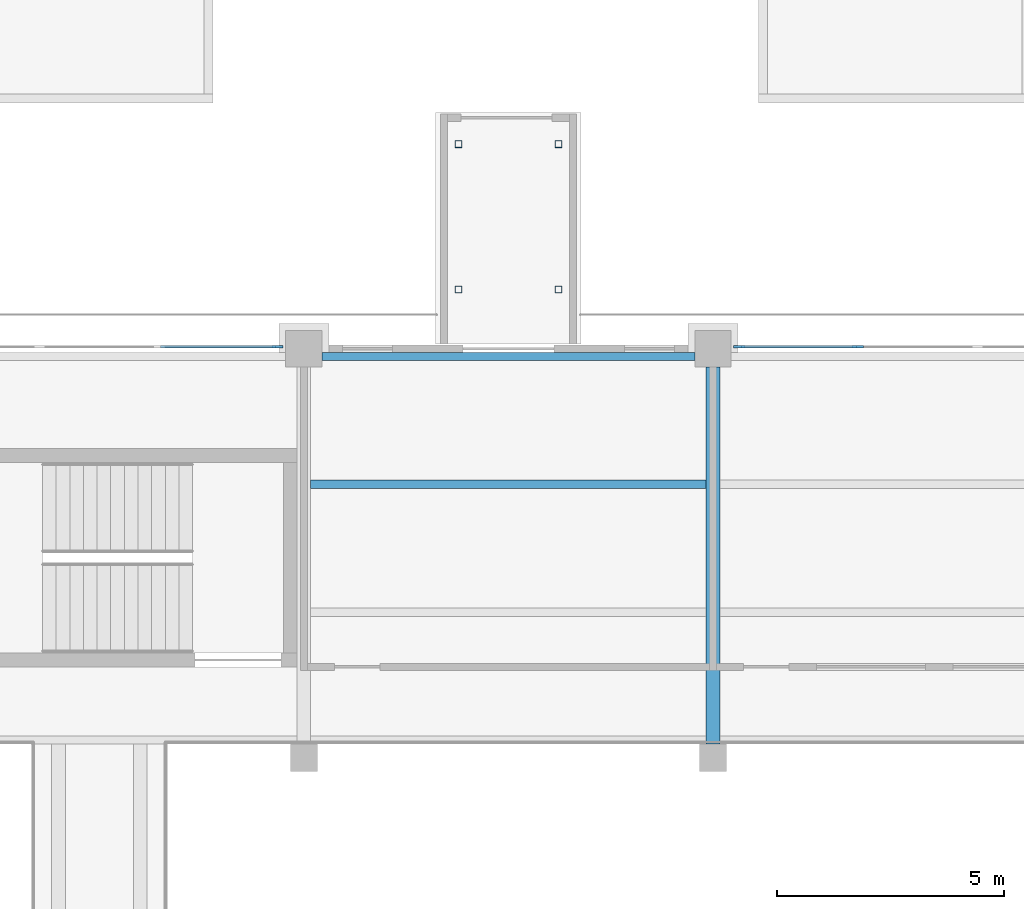
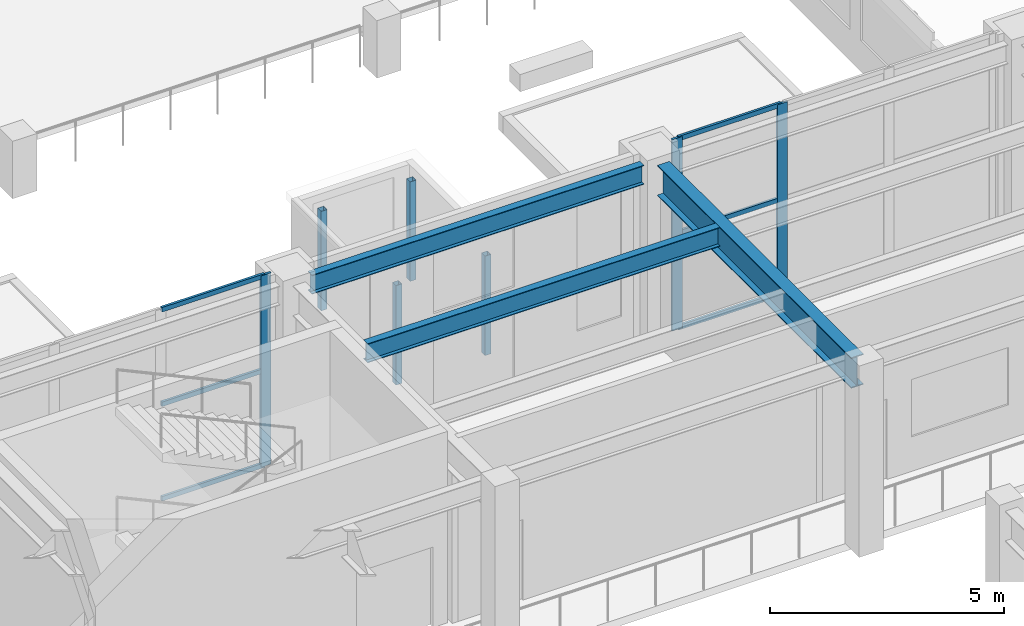
# One storey, part 16 of 67: 13 members, 3 beams, 2 elements without a shape of their own.
"""IFC4 building model written with IfcOpenShell, lengths in metres."""

from ifc_helpers import new_model, si_unit, direction, frame, origin, origin_2d, place, context, subcontext, project, spatial, rectangle, hollow_rectangle, i_section, extrude, material, material_profile, profile_set, type_object, element, aggregate, save


model = new_model("IFC4")

# Units and contexts
model_context = context("Model", 3, precision=1e-05, world=origin(), true_north=direction((0.0, 1.0)))
body_context = subcontext(model_context, "Body", "Model", "MODEL_VIEW")
ifc_project = project(units=[si_unit("LENGTHUNIT", "METRE"), si_unit("AREAUNIT", "SQUARE_METRE"), si_unit("VOLUMEUNIT", "CUBIC_METRE"), si_unit("PLANEANGLEUNIT", "RADIAN"), si_unit("MASSUNIT", "GRAM", prefix="KILO")], contexts=[model_context])

# Site, building, storey
site_placement = place(None, origin())
site = spatial("IfcSite", under=ifc_project, at=site_placement, CompositionType="ELEMENT")
building_placement = place(site_placement, origin())
building = spatial("IfcBuilding", under=site, at=building_placement, Name="Aravalli Gate Trade Fair Centre", CompositionType="ELEMENT")
storey_placement = place(building_placement, frame((0.0, 0.0, 5.0)))
storey = spatial("IfcBuildingStorey", under=building, at=storey_placement, Name="L01", CompositionType="ELEMENT", Elevation=5.0)

# Curtain wall, member
ifc_material_1 = material(Name="Aluminium and glass", Category="aluminium")
curtain_wall_type = type_object("IfcCurtainWallType", Name="Curtain wall 3000 module, tall", PredefinedType="NOTDEFINED", material=ifc_material_1)
curtain_wall_1_placement = place(storey_placement, origin())
curtain_wall_1 = element("IfcCurtainWall", 1, at=curtain_wall_1_placement, inside=storey, type_object=curtain_wall_type, Name="Curtain wall north bay 8 L01", PredefinedType="NOTDEFINED")
ifc_material_2 = material(Name="Aluminium", Category="aluminium")
ifc_material_profile_1 = material_profile(ifc_material_2, rectangle(XDim=0.06005859375, YDim=0.25, at=origin_2d()), Name="Concourse curtain wall mullion 60 x 250")
ifc_profile_set_1 = profile_set([ifc_material_profile_1], Name="Aluminium")
member_type_1 = type_object("IfcMemberType", Name="Concourse curtain wall mullion 60 x 250", PredefinedType="MULLION", material=ifc_profile_set_1)
member_1_placement = place(storey_placement, frame((77.419921875, 133.044921875, 0.0), z_axis=(0.0, 0.0, 1.0), x_axis=(0.0, 1.0, 0.0)))
member_1 = element("IfcMember", 2, at=member_1_placement, type_object=member_type_1, Name="CW3 mullion 4", PredefinedType="MULLION", context=body_context, shape_type="SweptSolid", body=[
    extrude(rectangle(XDim=0.06005859375, YDim=0.25, at=origin_2d()), origin(), (0.0, 0.0, 1.0), 5.0),
])

# Curtain wall, members
curtain_wall_2_placement = place(storey_placement, origin())
curtain_wall_2 = element("IfcCurtainWall", 3, at=curtain_wall_2_placement, inside=storey, type_object=curtain_wall_type, Name="Curtain wall north bay 10 L01", PredefinedType="NOTDEFINED")
member_2_placement = place(storey_placement, frame((87.580078125, 133.044921875, 0.0), z_axis=(0.0, 0.0, 1.0), x_axis=(0.0, 1.0, 0.0)))
member_2 = element("IfcMember", 4, at=member_2_placement, type_object=member_type_1, Name="CW3 mullion 1", PredefinedType="MULLION", context=body_context, shape_type="SweptSolid", body=[
    extrude(rectangle(XDim=0.06005859375, YDim=0.25, at=origin_2d()), origin(), (0.0, 0.0, 1.0), 5.0),
])
member_3_placement = place(storey_placement, frame((90.183349609375, 133.044921875, 0.0), z_axis=(0.0, 0.0, 1.0), x_axis=(0.0, 1.0, 0.0)))
member_3 = element("IfcMember", 5, at=member_3_placement, type_object=member_type_1, Name="CW3 mullion 2", PredefinedType="MULLION", context=body_context, shape_type="SweptSolid", body=[
    extrude(rectangle(XDim=0.06005859375, YDim=0.25, at=origin_2d()), origin(), (0.0, 0.0, 1.0), 5.0),
])

# Member
ifc_material_profile_2 = material_profile(ifc_material_2, rectangle(XDim=0.06005859375, YDim=0.1201171875, at=origin_2d()), Name="Concourse curtain wall transom 60 x 120")
ifc_profile_set_2 = profile_set([ifc_material_profile_2], Name="Aluminium")
member_type_2 = type_object("IfcMemberType", Name="Concourse curtain wall transom 60 x 120", PredefinedType="USERDEFINED", material=ifc_profile_set_2)
member_4_placement = place(storey_placement, frame((74.8466796875, 133.044921875, 0.030029296875), z_axis=(1.0, 0.0, 0.0), x_axis=(0.0, 1.0, 0.0)))
member_4 = element("IfcMember", 6, at=member_4_placement, type_object=member_type_2, Name="CW3 transom 3.1", ObjectType="TRANSOM", PredefinedType="USERDEFINED", context=body_context, shape_type="SweptSolid", body=[
    extrude(rectangle(XDim=0.06005859375, YDim=0.1201171875, at=origin_2d()), origin(), (0.0, 0.0, 1.0), 2.543212890625),
])

member_5_placement = place(storey_placement, frame((74.8466796875, 133.044921875, 2.5), z_axis=(1.0, 0.0, 0.0), x_axis=(0.0, 1.0, 0.0)))
member_5 = element("IfcMember", 7, at=member_5_placement, type_object=member_type_2, Name="CW3 transom 3.2", ObjectType="TRANSOM", PredefinedType="USERDEFINED", context=body_context, shape_type="SweptSolid", body=[
    extrude(rectangle(XDim=0.06005859375, YDim=0.1201171875, at=origin_2d()), origin(), (0.0, 0.0, 1.0), 2.543212890625),
])

member_6_placement = place(storey_placement, frame((74.8466796875, 133.044921875, 4.969970703125), z_axis=(1.0, 0.0, 0.0), x_axis=(0.0, 1.0, 0.0)))
member_6 = element("IfcMember", 8, at=member_6_placement, type_object=member_type_2, Name="CW3 transom 3.3", ObjectType="TRANSOM", PredefinedType="USERDEFINED", context=body_context, shape_type="SweptSolid", body=[
    extrude(rectangle(XDim=0.06005859375, YDim=0.1201171875, at=origin_2d()), origin(), (0.0, 0.0, 1.0), 2.543212890625),
])

aggregate(curtain_wall_1, [member_1, member_4, member_5, member_6])

member_7_placement = place(storey_placement, frame((87.610107421875, 133.044921875, 0.030029296875), z_axis=(1.0, 0.0, 0.0), x_axis=(0.0, 1.0, 0.0)))
member_7 = element("IfcMember", 9, at=member_7_placement, type_object=member_type_2, Name="CW3 transom 1.1", ObjectType="TRANSOM", PredefinedType="USERDEFINED", context=body_context, shape_type="SweptSolid", body=[
    extrude(rectangle(XDim=0.06005859375, YDim=0.1201171875, at=origin_2d()), origin(), (0.0, 0.0, 1.0), 2.543212890625),
])

member_8_placement = place(storey_placement, frame((87.610107421875, 133.044921875, 2.5), z_axis=(1.0, 0.0, 0.0), x_axis=(0.0, 1.0, 0.0)))
member_8 = element("IfcMember", 10, at=member_8_placement, type_object=member_type_2, Name="CW3 transom 1.2", ObjectType="TRANSOM", PredefinedType="USERDEFINED", context=body_context, shape_type="SweptSolid", body=[
    extrude(rectangle(XDim=0.06005859375, YDim=0.1201171875, at=origin_2d()), origin(), (0.0, 0.0, 1.0), 2.543212890625),
])

member_9_placement = place(storey_placement, frame((87.610107421875, 133.044921875, 4.969970703125), z_axis=(1.0, 0.0, 0.0), x_axis=(0.0, 1.0, 0.0)))
member_9 = element("IfcMember", 11, at=member_9_placement, type_object=member_type_2, Name="CW3 transom 1.3", ObjectType="TRANSOM", PredefinedType="USERDEFINED", context=body_context, shape_type="SweptSolid", body=[
    extrude(rectangle(XDim=0.06005859375, YDim=0.1201171875, at=origin_2d()), origin(), (0.0, 0.0, 1.0), 2.543212890625),
])

aggregate(curtain_wall_2, [member_2, member_3, member_7, member_8, member_9])

# Beams
ifc_material_3 = material(Name="Steel E350", Category="steel")
ifc_material_profile_3 = material_profile(ifc_material_3, i_section(OverallWidth=0.179931640625, OverallDepth=0.5, WebThickness=0.01025390625, FlangeThickness=0.01708984375, at=origin_2d()), Name="ISMB 500")
ifc_profile_set_3 = profile_set([ifc_material_profile_3], Name="Steel E350")
beam_type_1 = type_object("IfcBeamType", Name="ISMB 500 gallery secondary beam", PredefinedType="JOIST", material=ifc_profile_set_3)
beam_1_placement = place(storey_placement, frame((78.14990234375, 130.0166015625, 4.550048828125), z_axis=(1.0, 0.0, 0.0), x_axis=(0.0, 1.0, 0.0)))
element("IfcBeam", 12, at=beam_1_placement, inside=storey, type_object=beam_type_1, Name="Gallery beam N4 09-10 L02", PredefinedType="JOIST", context=body_context, shape_type="SweptSolid", body=[
    extrude(i_section(OverallWidth=0.179931640625, OverallDepth=0.5, WebThickness=0.01025390625, FlangeThickness=0.01708984375, at=origin_2d()), origin(), (0.0, 0.0, 1.0), 8.7001953125),
])
beam_2_placement = place(storey_placement, frame((78.39990234375, 132.830078125, 4.550048828125), z_axis=(1.0, 0.0, 0.0), x_axis=(0.0, 1.0, 0.0)))
element("IfcBeam", 13, at=beam_2_placement, inside=storey, type_object=beam_type_1, Name="Gallery beam N5 09-10 L02", PredefinedType="JOIST", context=body_context, shape_type="SweptSolid", body=[
    extrude(i_section(OverallWidth=0.179931640625, OverallDepth=0.5, WebThickness=0.01025390625, FlangeThickness=0.01708984375, at=origin_2d()), origin(), (0.0, 0.0, 1.0), 8.2001953125),
])
ifc_material_profile_4 = material_profile(ifc_material_3, i_section(OverallWidth=0.300048828125, OverallDepth=0.800048828125, WebThickness=0.011962890625, FlangeThickness=0.02490234375, at=origin_2d()), Name="PG 800x300x12x25")
ifc_profile_set_4 = profile_set([ifc_material_profile_4], Name="Steel E350")
beam_type_2 = type_object("IfcBeamType", Name="PG 800x300x12x25 gallery plate girder", PredefinedType="BEAM", material=ifc_profile_set_4)
beam_3_placement = place(storey_placement, frame((87.0, 124.300048828125, 4.39990234375), z_axis=(0.0, 1.0, 0.0), x_axis=(-1.0, 0.0, 0.0)))
element("IfcBeam", 14, at=beam_3_placement, inside=storey, type_object=beam_type_2, Name="Gallery girder N10 L02", PredefinedType="BEAM", context=body_context, shape_type="SweptSolid", body=[
    extrude(i_section(OverallWidth=0.300048828125, OverallDepth=0.800048828125, WebThickness=0.011962890625, FlangeThickness=0.02490234375, at=origin_2d()), origin(), (0.0, 0.0, 1.0), 8.300048828125),
])

# Members
ifc_material_profile_5 = material_profile(ifc_material_3, hollow_rectangle(XDim=0.14990234375, YDim=0.14990234375, WallThickness=0.006103515625, at=origin_2d()), Name="SHS 150x150x6")
ifc_profile_set_5 = profile_set([ifc_material_profile_5], Name="Steel E350")
member_type_3 = type_object("IfcMemberType", Name="SHS 150x150x6 terrace pavilion post", PredefinedType="POST", material=ifc_profile_set_5)
for number, where, z_axis, x_axis, name in (
    (15, (81.39990234375, 134.300048828125, 0.0), (0.0, 0.0, 1.0), (1.0, 0.0, 0.0), "Terrace lobby post 1.81"),
    (16, (81.39990234375, 137.5, 0.0), (0.0, 0.0, 1.0), (1.0, 0.0, 0.0), "Terrace lobby post 2.81"),
    (17, (83.60009765625, 134.300048828125, 0.0), (0.0, 0.0, 1.0), (1.0, 0.0, 0.0), "Terrace lobby post 1.83"),
    (18, (83.60009765625, 137.5, 0.0), (0.0, 0.0, 1.0), (1.0, 0.0, 0.0), "Terrace lobby post 2.83"),
):
    element("IfcMember", number, at=place(storey_placement, frame(where, z_axis=z_axis, x_axis=x_axis)), inside=storey, type_object=member_type_3, Name=name, PredefinedType="POST", context=body_context, shape_type="SweptSolid", body=[
        extrude(hollow_rectangle(XDim=0.14990234375, YDim=0.14990234375, WallThickness=0.006103515625, at=origin_2d()), origin(), (0.0, 0.0, 1.0), 2.60009765625),
    ])

save(model, "model.ifc")
